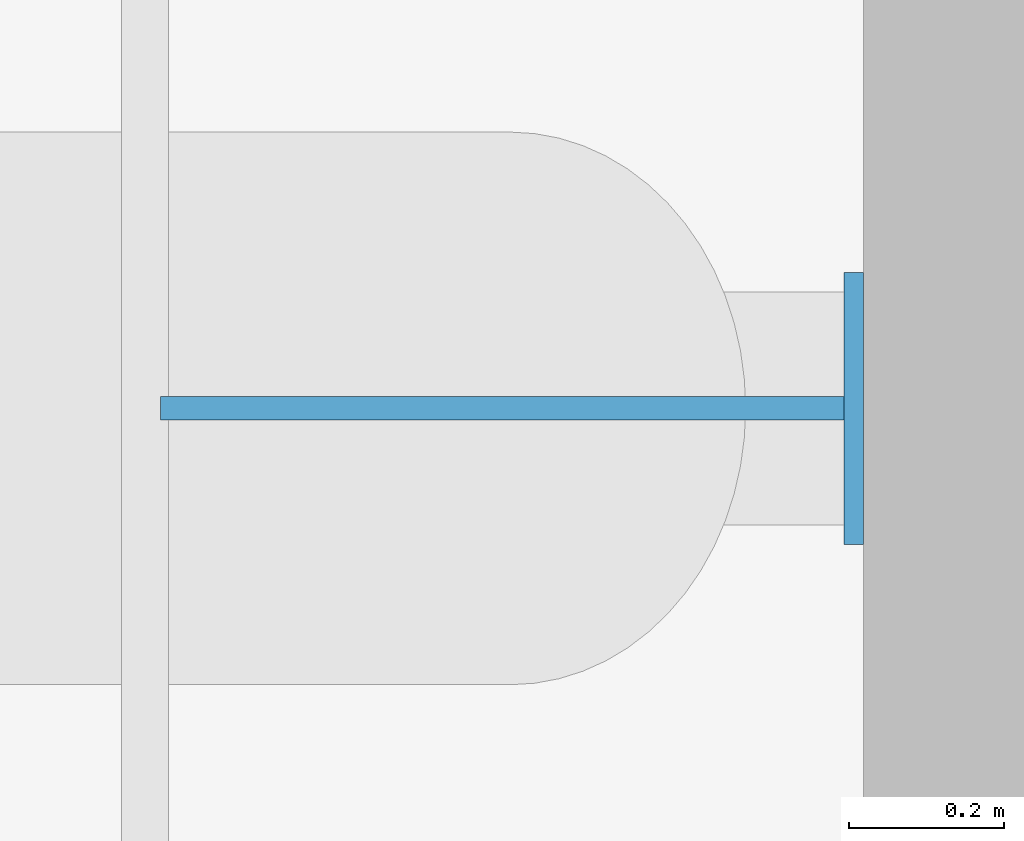
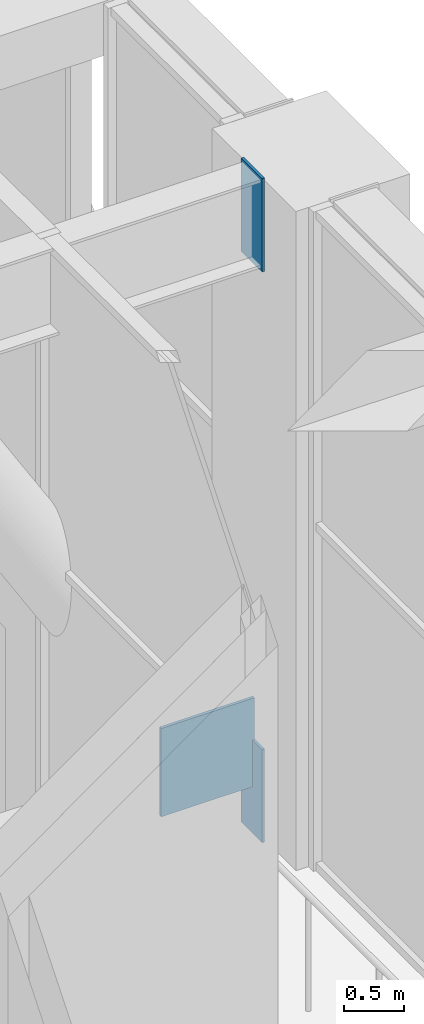
# One storey, part 18 of 28: 3 discrete accessories.
"""IFC4 building model written with IfcOpenShell, lengths in metres."""

from ifc_helpers import new_model, si_unit, direction, frame, origin, origin_2d, place, context, subcontext, project, spatial, rectangle, extrude, element, save


model = new_model("IFC4")

# Units and contexts
model_context = context("Model", 3, precision=1e-05, world=origin(), true_north=direction((0.0, 1.0)))
body_context = subcontext(model_context, "Body", "Model", "MODEL_VIEW")
ifc_project = project(units=[si_unit("LENGTHUNIT", "METRE"), si_unit("AREAUNIT", "SQUARE_METRE"), si_unit("VOLUMEUNIT", "CUBIC_METRE"), si_unit("PLANEANGLEUNIT", "RADIAN"), si_unit("MASSUNIT", "GRAM", prefix="KILO")], contexts=[model_context])

# Site, building, storey
site_placement = place(None, origin())
site = spatial("IfcSite", under=ifc_project, at=site_placement, CompositionType="ELEMENT")
building_placement = place(site_placement, origin())
building = spatial("IfcBuilding", under=site, at=building_placement, Name="Vermilion Gate Residences", CompositionType="ELEMENT")
storey_placement = place(building_placement, frame((0.0, 0.0, 74.199951171875)))
storey = spatial("IfcBuildingStorey", under=building, at=storey_placement, Name="L18", CompositionType="ELEMENT", Elevation=74.199951171875)

# Discrete accessories
for number, where, z_axis, x_axis, name in (
    (1, (66.637451171875, 16.800048828125, -0.02490234375), (0.0, 0.0, 1.0), (1.0, 0.0, 0.0), "End plate O18OUT2B 2"),
    (2, (66.637451171875, 16.800048828125, 5.794921875), (0.0, 0.0, 1.0), (1.0, 0.0, 0.0), "End plate O18OUT2T 2"),
):
    element("IfcDiscreteAccessory", number, at=place(storey_placement, frame(where, z_axis=z_axis, x_axis=x_axis)), inside=storey, Name=name, ObjectType="END PLATE", PredefinedType="USERDEFINED", context=body_context, shape_type="SweptSolid", body=[
        extrude(rectangle(XDim=0.02490234375, YDim=0.35009765625, at=origin_2d()), origin(), (0.0, 0.0, 1.0), 0.949951171875),
    ])
discrete_accessory_placement = place(storey_placement, frame((66.195068359375, 16.800048828125, 0.4501953125), z_axis=(0.0, 0.0, 1.0), x_axis=(1.0, 0.0, 0.0)))
element("IfcDiscreteAccessory", 3, at=discrete_accessory_placement, inside=storey, Name="Gusset plate O18OUT2D2 2", ObjectType="GUSSET PLATE", PredefinedType="USERDEFINED", context=body_context, shape_type="SweptSolid", body=[
    extrude(rectangle(XDim=0.89990234375, YDim=0.030029296875, at=origin_2d()), origin(), (0.0, 0.0, 1.0), 0.89990234375),
])

save(model, "model.ifc")
